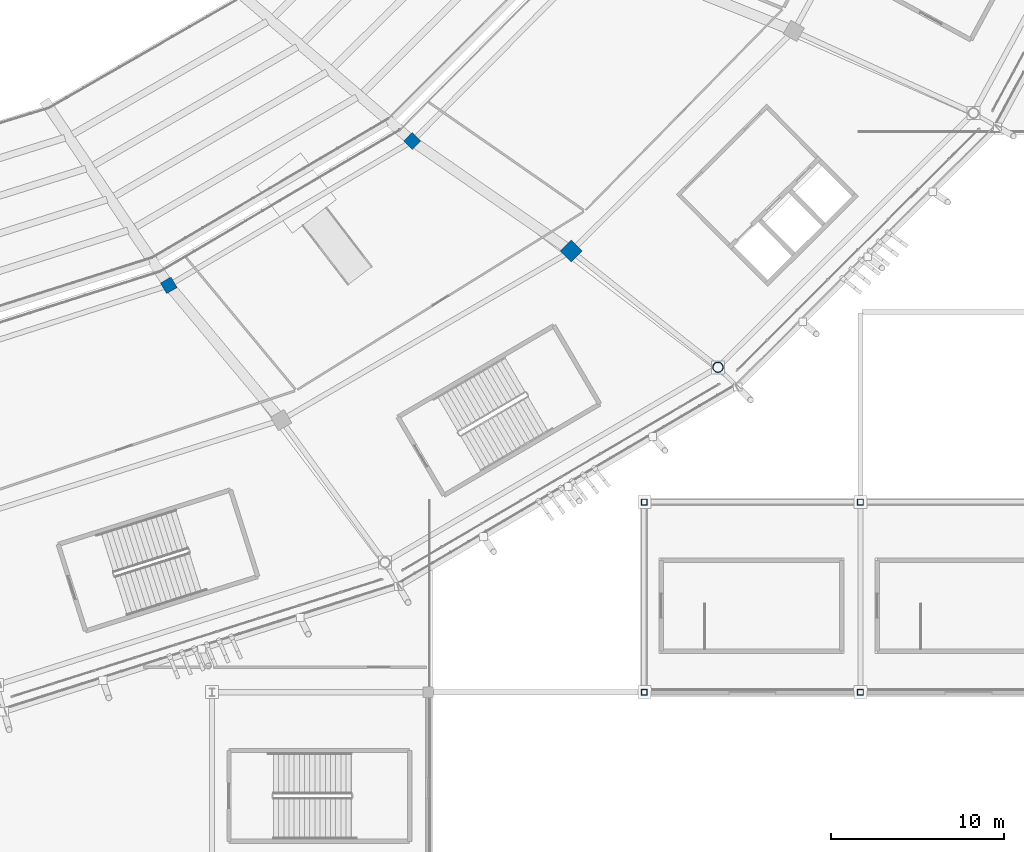
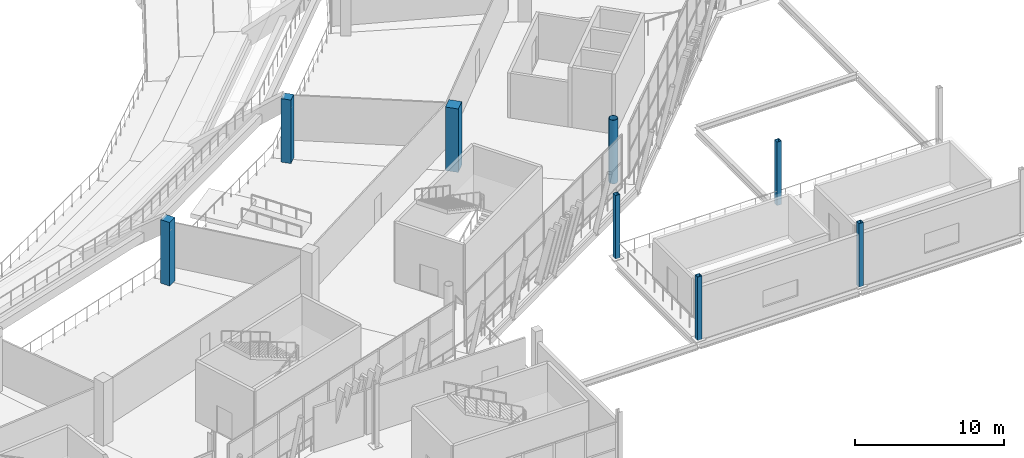
# One storey, part 12 of 178: 8 columns.
"""IFC4 building model written with IfcOpenShell, lengths in metres."""

from ifc_helpers import new_model, si_unit, direction, frame, origin, origin_2d, place, context, subcontext, project, spatial, rectangle, hollow_rectangle, hollow_circle, extrude, material, material_profile, profile_set, type_object, element, save


model = new_model("IFC4")

# Units and contexts
model_context = context("Model", 3, precision=1e-05, world=origin(), true_north=direction((0.0, 1.0)))
body_context = subcontext(model_context, "Body", "Model", "MODEL_VIEW")
ifc_project = project(units=[si_unit("LENGTHUNIT", "METRE"), si_unit("AREAUNIT", "SQUARE_METRE"), si_unit("VOLUMEUNIT", "CUBIC_METRE"), si_unit("PLANEANGLEUNIT", "RADIAN"), si_unit("MASSUNIT", "GRAM", prefix="KILO")], contexts=[model_context])

# Site, building, storey
site_placement = place(None, origin())
site = spatial("IfcSite", under=ifc_project, at=site_placement, CompositionType="ELEMENT")
building_placement = place(site_placement, origin())
building = spatial("IfcBuilding", under=site, at=building_placement, Name="Zlatoyarsky Gate Stadium", CompositionType="ELEMENT")
storey_placement = place(building_placement, frame((0.0, 0.0, 5.39990234375)))
storey = spatial("IfcBuildingStorey", under=building, at=storey_placement, Name="L01", CompositionType="ELEMENT", Elevation=5.39990234375)

# Columns
ifc_material_1 = material(Name="Concrete C40/50", Category="concrete")
ifc_material_profile_1 = material_profile(ifc_material_1, rectangle(XDim=0.699951171875, YDim=0.699951171875, at=origin_2d()), Name="RC COL 700X700")
ifc_profile_set_1 = profile_set([ifc_material_profile_1], Name="Concrete C40/50")
column_type_1 = type_object("IfcColumnType", Name="CONCRETE COLUMN 700X700", PredefinedType="COLUMN", material=ifc_profile_set_1)
for number, where, z_axis, x_axis, name in (
    (1, (145.0, 34.53369140625, 0.0), (0.0, 0.0, 1.0), (0.5, -0.866025403784, 0.0), "Column RC-C70 RA-20 on L01"),
    (2, (159.083251953125, 42.876953125, 0.0), (0.0, 0.0, 1.0), (0.707106781187, -0.707106781187, 0.0), "Column RC-C70 RA-21 on L01"),
):
    element("IfcColumn", number, at=place(storey_placement, frame(where, z_axis=z_axis, x_axis=x_axis)), inside=storey, type_object=column_type_1, Name=name, PredefinedType="COLUMN", context=body_context, shape_type="SweptSolid", body=[
        extrude(rectangle(XDim=0.699951171875, YDim=0.699951171875, at=origin_2d()), origin(), (0.0, 0.0, 1.0), 5.2001953125),
    ])
ifc_material_profile_2 = material_profile(ifc_material_1, rectangle(XDim=0.89990234375, YDim=0.89990234375, at=origin_2d()), Name="RC COL 900X900")
ifc_profile_set_2 = profile_set([ifc_material_profile_2], Name="Concrete C40/50")
column_type_2 = type_object("IfcColumnType", Name="CONCRETE COLUMN 900X900", PredefinedType="COLUMN", material=ifc_profile_set_2)
column_1_placement = place(storey_placement, frame((168.275634765625, 36.512939453125, 0.0), z_axis=(0.0, 0.0, 1.0), x_axis=(0.707106781187, -0.707106781187, 0.0)))
element("IfcColumn", 3, at=column_1_placement, inside=storey, type_object=column_type_2, Name="Column RC-C90 RB-21 on L01", PredefinedType="COLUMN", context=body_context, shape_type="SweptSolid", body=[
    extrude(rectangle(XDim=0.89990234375, YDim=0.89990234375, at=origin_2d()), origin(), (0.0, 0.0, 1.0), 5.2001953125),
])
ifc_material_2 = material(Name="Steel S355", Category="steel")
ifc_material_profile_3 = material_profile(ifc_material_2, hollow_rectangle(XDim=0.35009765625, YDim=0.35009765625, WallThickness=0.02001953125, at=origin_2d()), Name="SHS 350X350X20")
ifc_profile_set_3 = profile_set([ifc_material_profile_3], Name="Steel S355")
column_type_3 = type_object("IfcColumnType", Name="STEEL SQUARE COLUMN SHS 350X350X20", PredefinedType="COLUMN", material=ifc_profile_set_3)
for number, where, z_axis, x_axis, name in (
    (4, (172.5, 11.0, 0.0), (0.0, 0.0, 1.0), (1.0, 0.0, 0.0), "Column ST-CS350 WG-15-B on L01"),
    (5, (172.5, 22.0, 0.0), (0.0, 0.0, 1.0), (1.0, 0.0, 0.0), "Column ST-CS350 WG-15-C on L01"),
    (6, (185.0, 11.0, 0.0), (0.0, 0.0, 1.0), (1.0, 0.0, 0.0), "Column ST-CS350 WG-16-B on L01"),
    (7, (185.0, 22.0, 0.0), (0.0, 0.0, 1.0), (1.0, 0.0, 0.0), "Column ST-CS350 WG-16-C on L01"),
):
    element("IfcColumn", number, at=place(storey_placement, frame(where, z_axis=z_axis, x_axis=x_axis)), inside=storey, type_object=column_type_3, Name=name, PredefinedType="COLUMN", context=body_context, shape_type="SweptSolid", body=[
        extrude(hollow_rectangle(XDim=0.35009765625, YDim=0.35009765625, WallThickness=0.02001953125, at=origin_2d()), origin(), (0.0, 0.0, 1.0), 5.2001953125),
    ])
ifc_material_profile_4 = material_profile(ifc_material_2, hollow_circle(Radius=0.304931640625, WallThickness=0.030029296875, at=origin_2d()), Name="CHS 610X30")
ifc_profile_set_4 = profile_set([ifc_material_profile_4], Name="Steel S355")
column_type_4 = type_object("IfcColumnType", Name="STEEL TUBULAR COLUMN CHS 610X30", PredefinedType="COLUMN", material=ifc_profile_set_4)
column_2_placement = place(storey_placement, frame((176.760986328125, 29.79541015625, 0.0), z_axis=(0.0, 0.0, 1.0), x_axis=(0.707106781187, -0.707106781187, 0.0)))
element("IfcColumn", 8, at=column_2_placement, inside=storey, type_object=column_type_4, Name="Column ST-C610 RC-21 on L01", PredefinedType="COLUMN", context=body_context, shape_type="SweptSolid", body=[
    extrude(hollow_circle(Radius=0.304931640625, WallThickness=0.030029296875, at=origin_2d()), origin(), (0.0, 0.0, 1.0), 5.2001953125),
])

save(model, "model.ifc")
